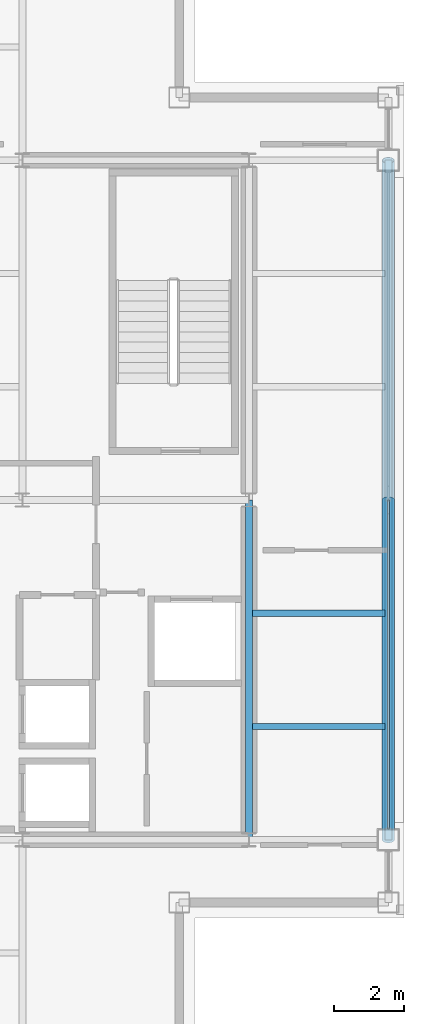
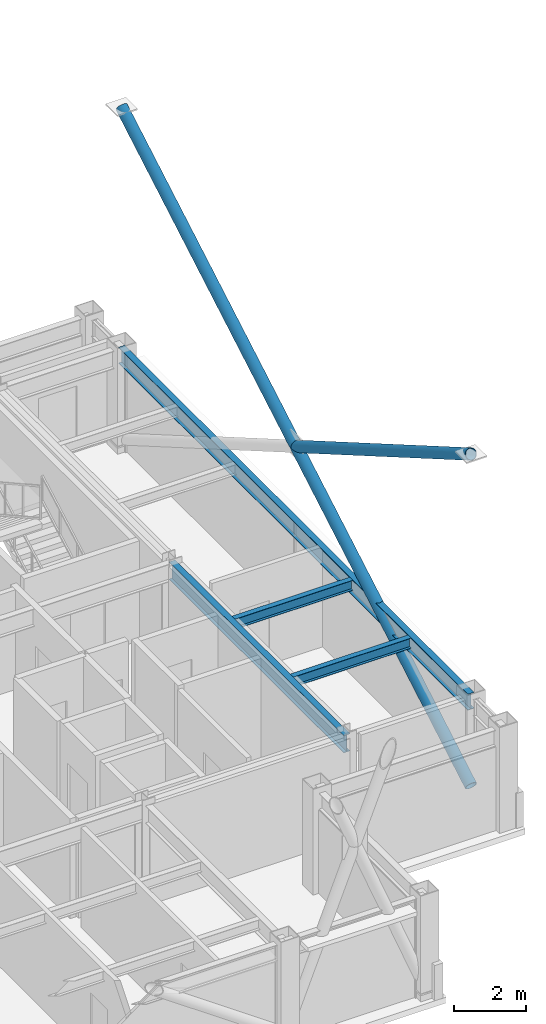
# One storey, part 13 of 24: 4 beams, 3 members, 1 element without a shape of its own.
"""IFC4 building model written with IfcOpenShell, lengths in metres."""

from ifc_helpers import new_model, si_unit, direction, frame, origin, origin_2d, place, context, subcontext, project, spatial, hollow_rectangle, hollow_circle, i_section, extrude, material, layer, layer_set, material_profile, profile_set, type_object, element, aggregate, save


model = new_model("IFC4")

# Units and contexts
model_context = context("Model", 3, precision=1e-05, world=origin(), true_north=direction((0.0, 1.0)))
body_context = subcontext(model_context, "Body", "Model", "MODEL_VIEW")
ifc_project = project(units=[si_unit("LENGTHUNIT", "METRE"), si_unit("AREAUNIT", "SQUARE_METRE"), si_unit("VOLUMEUNIT", "CUBIC_METRE"), si_unit("PLANEANGLEUNIT", "RADIAN"), si_unit("MASSUNIT", "GRAM", prefix="KILO")], contexts=[model_context])

# Site, building, storey
site_placement = place(None, origin())
site = spatial("IfcSite", under=ifc_project, at=site_placement, CompositionType="ELEMENT")
building_placement = place(site_placement, origin())
building = spatial("IfcBuilding", under=site, at=building_placement, Name="Brelmoor Portico Tower", CompositionType="ELEMENT")
storey_placement = place(building_placement, frame((0.0, 0.0, 268.800048828125)))
storey = spatial("IfcBuildingStorey", under=building, at=storey_placement, Name="L71", CompositionType="ELEMENT", Elevation=268.800048828125)

# Beams
ifc_material_1 = material(Name="Steel Q355B", Category="steel")
ifc_material_profile_1 = material_profile(ifc_material_1, i_section(OverallWidth=0.175048828125, OverallDepth=0.35009765625, WebThickness=0.007080078125, FlangeThickness=0.010986328125, at=origin_2d()), Name="HN 350x175x7x11")
ifc_profile_set_1 = profile_set([ifc_material_profile_1], Name="Steel Q355B")
beam_type_1 = type_object("IfcBeamType", Name="BM-JS-350", PredefinedType="JOIST", material=ifc_profile_set_1)
for number, where, z_axis, x_axis, name in (
    (1, (14.64990234375, -6.5, 3.224853515625), (1.0, 0.0, 0.0), (0.0, 1.0, 0.0), "L71 Secondary Wing Joist JS-E11"),
    (2, (14.64990234375, -3.25, 3.224853515625), (1.0, 0.0, 0.0), (0.0, 1.0, 0.0), "L71 Secondary Wing Joist JS-E12"),
):
    element("IfcBeam", number, at=place(storey_placement, frame(where, z_axis=z_axis, x_axis=x_axis)), inside=storey, type_object=beam_type_1, Name=name, PredefinedType="JOIST", context=body_context, shape_type="SweptSolid", body=[
        extrude(i_section(OverallWidth=0.175048828125, OverallDepth=0.35009765625, WebThickness=0.007080078125, FlangeThickness=0.010986328125, at=origin_2d()), origin(), (0.0, 0.0, 1.0), 3.800048828125),
    ])
ifc_material_profile_2 = material_profile(ifc_material_1, i_section(OverallWidth=0.199951171875, OverallDepth=0.60009765625, WebThickness=0.010986328125, FlangeThickness=0.01708984375, at=origin_2d()), Name="HN 600x200x11x17")
ifc_profile_set_2 = profile_set([ifc_material_profile_2], Name="Steel Q355B")
beam_type_2 = type_object("IfcBeamType", Name="BM-PG-600", PredefinedType="BEAM", material=ifc_profile_set_2)
beam_1_placement = place(storey_placement, frame((14.550048828125, -9.75, 3.099853515625), z_axis=(0.0, 1.0, 0.0), x_axis=(-1.0, 0.0, 0.0)))
element("IfcBeam", 3, at=beam_1_placement, inside=storey, type_object=beam_type_2, Name="L71 Primary Floor Girder PG-09", PredefinedType="BEAM", context=body_context, shape_type="SweptSolid", body=[
    extrude(i_section(OverallWidth=0.199951171875, OverallDepth=0.60009765625, WebThickness=0.010986328125, FlangeThickness=0.01708984375, at=origin_2d()), origin(), (0.0, 0.0, 1.0), 9.75),
])
ifc_material_profile_3 = material_profile(ifc_material_1, i_section(OverallWidth=0.199951171875, OverallDepth=0.550048828125, WebThickness=0.010009765625, FlangeThickness=0.01611328125, at=origin_2d()), Name="HN 550x200x10x16")
ifc_profile_set_3 = profile_set([ifc_material_profile_3], Name="Steel Q355B")
beam_type_3 = type_object("IfcBeamType", Name="BM-SP-550", PredefinedType="SPANDREL", material=ifc_profile_set_3)
beam_2_placement = place(storey_placement, frame((18.550048828125, -9.75, 3.125), z_axis=(0.0, 1.0, 0.0), x_axis=(-1.0, 0.0, 0.0)))
element("IfcBeam", 4, at=beam_2_placement, inside=storey, type_object=beam_type_3, Name="L71 Perimeter Spandrel Beam SP-19", PredefinedType="SPANDREL", context=body_context, shape_type="SweptSolid", body=[
    extrude(i_section(OverallWidth=0.199951171875, OverallDepth=0.550048828125, WebThickness=0.010009765625, FlangeThickness=0.01611328125, at=origin_2d()), origin(), (0.0, 0.0, 1.0), 19.5),
])

# Members
ifc_material_profile_4 = material_profile(ifc_material_1, hollow_circle(Radius=0.177978515625, WallThickness=0.01611328125, at=origin_2d()), Name="CHS 356x16")
ifc_profile_set_4 = profile_set([ifc_material_profile_4], Name="Steel Q355B")
member_type_1 = type_object("IfcMemberType", Name="MB-BELT-DIAG2", PredefinedType="BRACE", material=ifc_profile_set_4)
member_1_placement = place(storey_placement, frame((18.550048828125, -9.75, 0.25), z_axis=(0.0, 0.865222754214, 0.501387659991), x_axis=(-1.0, 0.0, 0.0)))
element("IfcMember", 5, at=member_1_placement, inside=storey, type_object=member_type_1, Name="L71 Continuous Mega-X Brace 162A", PredefinedType="BRACE", context=body_context, shape_type="SweptSolid", body=[
    extrude(hollow_circle(Radius=0.177978515625, WallThickness=0.01611328125, at=origin_2d()), origin(), (0.0, 0.0, 1.0), 22.53759765625),
])
member_2_placement = place(storey_placement, frame((18.550048828125, 0.0, 5.89990234375), z_axis=(0.0, -0.865218054882, 0.501395769334), x_axis=(1.0, 0.0, 0.0)))
element("IfcMember", 6, at=member_2_placement, inside=storey, type_object=member_type_1, Name="L71 Split Mega-X Brace 162B2", PredefinedType="BRACE", context=body_context, shape_type="SweptSolid", body=[
    extrude(hollow_circle(Radius=0.177978515625, WallThickness=0.01611328125, at=origin_2d()), origin(), (0.0, 0.0, 1.0), 11.268798828125),
])

# Curtain wall, member
ifc_material_2 = material(Name="Anodised Aluminium Alloy 6063-T6", Category="aluminium")
ifc_layer = layer(ifc_material_2, 0.179931640625)
ifc_layer_set = layer_set([ifc_layer], Name="Anodised Aluminium Alloy 6063-T6")
curtain_wall_type = type_object("IfcCurtainWallType", Name="CW-TOWER-Z4-XB", PredefinedType="NOTDEFINED", material=ifc_layer_set)
curtain_wall_placement = place(storey_placement, origin())
curtain_wall = element("IfcCurtainWall", 7, at=curtain_wall_placement, inside=storey, type_object=curtain_wall_type, Name="L71 Curtain Wall CW-L71-04-2", PredefinedType="NOTDEFINED")
ifc_material_profile_5 = material_profile(ifc_material_2, hollow_rectangle(XDim=0.06005859375, YDim=0.125, WallThickness=0.00341796875, at=origin_2d()), Name="ALU TRANSOM 60x125")
ifc_profile_set_5 = profile_set([ifc_material_profile_5], Name="Anodised Aluminium Alloy 6063-T6")
member_type_2 = type_object("IfcMemberType", Name="MB-CW-TRAN-125", PredefinedType="USERDEFINED", material=ifc_profile_set_5)
member_3_placement = place(storey_placement, frame((18.550048828125, -9.43994140625, 3.33740234375), z_axis=(0.0, 1.0, 0.0), x_axis=(-1.0, 0.0, 0.0)))
member_3 = element("IfcMember", 8, at=member_3_placement, type_object=member_type_2, Name="CW-L71-04-2 Transom 1-00", ObjectType="TRANSOM", PredefinedType="USERDEFINED", context=body_context, shape_type="SweptSolid", body=[
    extrude(hollow_rectangle(XDim=0.06005859375, YDim=0.125, WallThickness=0.00341796875, at=origin_2d()), origin(), (0.0, 0.0, 1.0), 9.43994140625),
])
aggregate(curtain_wall, [member_3])

save(model, "model.ifc")
